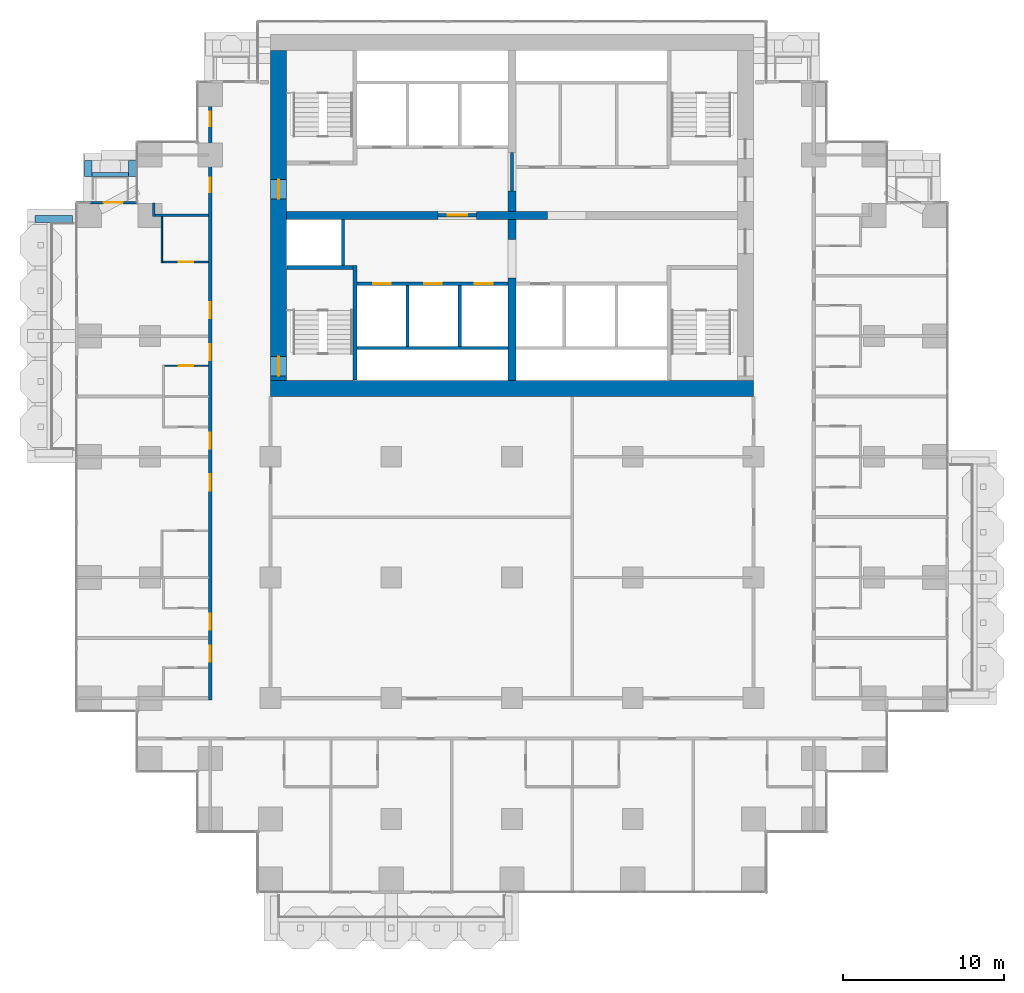
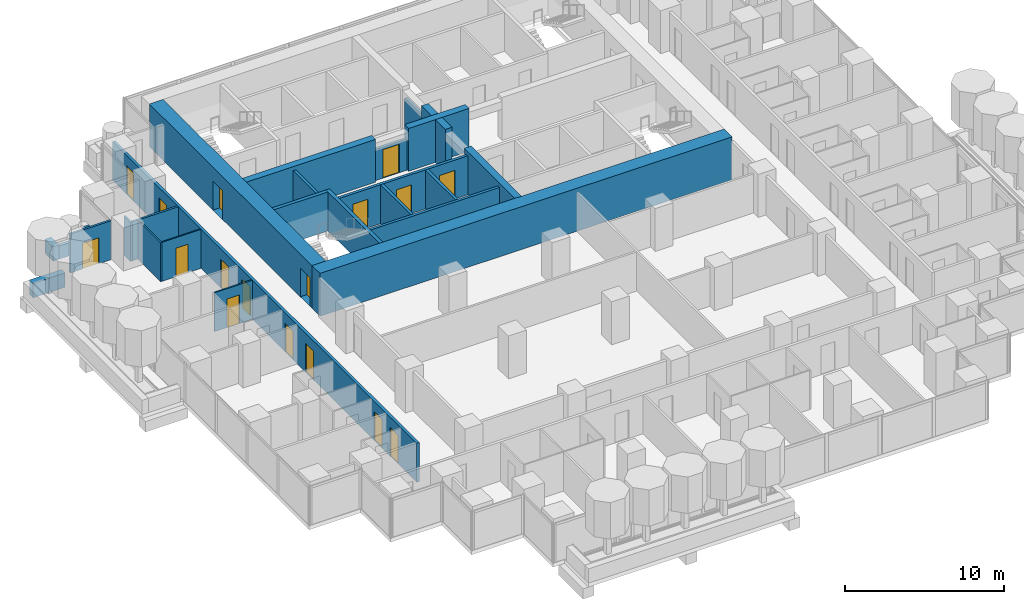
# One storey, part 13 of 18: 27 walls, 17 doors, 17 openings.
"""IFC4 building model written with IfcOpenShell, lengths in metres."""

from ifc_helpers import new_model, si_unit, direction, frame, frame_2d, origin, place, context, subcontext, project, spatial, rectangle, extrude, material, layer, layer_set, type_object, element, fill, save


model = new_model("IFC4")

# Units and contexts
model_context = context("Model", 3, precision=1e-05, world=origin(), true_north=direction((0.0, 1.0)))
body_context = subcontext(model_context, "Body", "Model", "MODEL_VIEW")
ifc_project = project(units=[si_unit("LENGTHUNIT", "METRE"), si_unit("AREAUNIT", "SQUARE_METRE"), si_unit("VOLUMEUNIT", "CUBIC_METRE"), si_unit("PLANEANGLEUNIT", "RADIAN"), si_unit("MASSUNIT", "GRAM", prefix="KILO")], contexts=[model_context])

# Site, building, storey
site_placement = place(None, origin())
site = spatial("IfcSite", under=ifc_project, at=site_placement, CompositionType="ELEMENT")
building_placement = place(site_placement, origin())
building = spatial("IfcBuilding", under=site, at=building_placement, Name="Pilkhan Gate Tower", CompositionType="ELEMENT")
storey_placement = place(building_placement, frame((0.0, 0.0, 82.39990234375)))
storey = spatial("IfcBuildingStorey", under=building, at=storey_placement, Name="L19", CompositionType="ELEMENT", Elevation=82.39990234375)

# Walls
ifc_material_1 = material(Name="Concrete C40/50", Category="concrete")
ifc_layer_1 = layer(ifc_material_1, 0.25)
ifc_layer_set_1 = layer_set([ifc_layer_1], Name="Balcony planter BP250")
wall_type_1 = type_object("IfcWallType", Name="Balcony planter BP250", PredefinedType="USERDEFINED", material=ifc_layer_set_1)
wall_1_placement = place(storey_placement, frame((48.89990234375, 85.02490234375, 0.0), z_axis=(0.0, 0.0, 1.0), x_axis=(1.0, 0.0, 0.0)))
element("IfcWall", 1, at=wall_1_placement, inside=storey, type_object=wall_type_1, Name="Balcony planter L19 N", ObjectType="BALCONY PLANTER", PredefinedType="USERDEFINED", context=body_context, shape_type="SweptSolid", body=[
    extrude(rectangle(XDim=2.280029296875, YDim=0.25, at=frame_2d((1.14013671875, 0.0))), origin(), (0.0, 0.0, 1.0), 1.0),
])
ifc_material_2 = material(Name="Board-marked Concrete C40/50", Category="concrete")
ifc_layer_2 = layer(ifc_material_2, 0.449951171875)
ifc_layer_set_2 = layer_set([ifc_layer_2], Name="Balcony planter lip BL450")
wall_type_2 = type_object("IfcWallType", Name="Balcony planter lip BL450", PredefinedType="USERDEFINED", material=ifc_layer_set_2)
for number, where, z_axis, x_axis, name in (
    (2, (48.675048828125, 84.89990234375, 0.0), (0.0, 0.0, 1.0), (0.0, 1.0, 0.0), "Balcony planter L19 N"),
    (3, (51.405029296875, 84.89990234375, 0.0), (0.0, 0.0, 1.0), (0.0, 1.0, 0.0), "Balcony planter L19 N"),
):
    element("IfcWall", number, at=place(storey_placement, frame(where, z_axis=z_axis, x_axis=x_axis)), inside=storey, type_object=wall_type_2, Name=name, ObjectType="BALCONY PLANTER", PredefinedType="USERDEFINED", context=body_context, shape_type="SweptSolid", body=[
        extrude(rectangle(XDim=1.0, YDim=0.449951171875, at=frame_2d((0.5, 0.0))), origin(), (0.0, 0.0, 1.0), 1.10009765625),
    ])
wall_2_placement = place(storey_placement, frame((47.699951171875, 82.27490234375, 0.0), z_axis=(0.0, 0.0, 1.0), x_axis=(-1.0, 0.0, 0.0)))
element("IfcWall", 4, at=wall_2_placement, inside=storey, type_object=wall_type_2, Name="Balcony planter L19 W", ObjectType="BALCONY PLANTER", PredefinedType="USERDEFINED", context=body_context, shape_type="SweptSolid", body=[
    extrude(rectangle(XDim=2.349853515625, YDim=0.449951171875, at=frame_2d((1.1748046875, 0.0))), origin(), (0.0, 0.0, 1.0), 1.10009765625),
])
ifc_material_3 = material(Name="Concrete C70/85", Category="concrete")
ifc_layer_3 = layer(ifc_material_3, 1.0)
ifc_layer_set_3 = layer_set([ifc_layer_3], Name="Core wall CW1000 C70/85")
wall_type_3 = type_object("IfcWallType", Name="Core wall CW1000 C70/85", PredefinedType="SHEAR", material=ifc_layer_set_3)
wall_3_placement = place(storey_placement, frame((60.0, 71.75, 0.0), z_axis=(0.0, 0.0, 1.0), x_axis=(1.0, 0.0, 0.0)))
element("IfcWall", 5, at=wall_3_placement, inside=storey, type_object=wall_type_3, Name="Core wall S L19", PredefinedType="SHEAR", context=body_context, shape_type="SweptSolid", body=[
    extrude(rectangle(XDim=30.0, YDim=1.0, at=frame_2d((15.0, 0.0))), origin(), (0.0, 0.0, 1.0), 3.300048828125),
])

# Wall, openings, doors
wall_4_placement = place(storey_placement, frame((60.5, 92.75, 0.0), z_axis=(0.0, 0.0, 1.0), x_axis=(0.0, -1.0, 0.0)))
wall_4 = element("IfcWall", 6, at=wall_4_placement, inside=storey, type_object=wall_type_3, Name="Core wall W L19", PredefinedType="SHEAR", context=body_context, shape_type="SweptSolid", body=[
    extrude(rectangle(XDim=20.5, YDim=1.0, at=frame_2d((10.25, 0.0))), origin(), (0.0, 0.0, 1.0), 3.300048828125),
])
opening_1_placement = place(wall_4_placement, frame((19.02490234375, 0.0, 0.0)))
opening_1 = element("IfcOpeningElement", 7, at=opening_1_placement, cuts=wall_4, Name="Opening L19-04", PredefinedType="OPENING", context=body_context, shape_type="SweptSolid", body=[
    extrude(rectangle(XDim=1.199951171875, YDim=2.199951171875, at=frame_2d((0.60009765625, 1.10009765625))), frame((0.0, 0.510009765625, 0.0), z_axis=(0.0, -1.0, 0.0), x_axis=(1.0, 0.0, 0.0)), (0.0, 0.0, 1.0), 1.02001953125),
])
opening_2_placement = place(wall_4_placement, frame((8.02490234375, 0.0, 0.0)))
opening_2 = element("IfcOpeningElement", 8, at=opening_2_placement, cuts=wall_4, Name="Opening L19-45", PredefinedType="OPENING", context=body_context, shape_type="SweptSolid", body=[
    extrude(rectangle(XDim=1.199951171875, YDim=2.199951171875, at=frame_2d((0.60009765625, 1.10009765625))), frame((0.0, 0.510009765625, 0.0), z_axis=(0.0, -1.0, 0.0), x_axis=(1.0, 0.0, 0.0)), (0.0, 0.0, 1.0), 1.02001953125),
])
ifc_material_4 = material(Name="Steel door, 120 minute fire resisting, self-closing", Category="steel")
door_type_1 = type_object("IfcDoorType", Name="Firefighting lobby door D10 1200x2200", OperationType="SINGLE_SWING_LEFT", PredefinedType="DOOR", material=ifc_material_4)
door_1_placement = place(opening_2_placement, origin())
door_1 = element("IfcDoor", 9, at=door_1_placement, inside=storey, type_object=door_type_1, Name="Core door", OperationType="SINGLE_SWING_RIGHT", OverallHeight=2.199951171875, OverallWidth=1.199951171875, PredefinedType="DOOR", context=body_context, shape_type="SweptSolid", body=[
    extrude(rectangle(XDim=1.199951171875, YDim=2.199951171875, at=frame_2d((0.60009765625, 1.10009765625))), frame((0.0, 0.02490234375, 0.0), z_axis=(0.0, -1.0, 0.0), x_axis=(1.0, 0.0, 0.0)), (0.0, 0.0, 1.0), 0.050048828125),
])
fill(opening_2, door_1)
ifc_material_5 = material(Name="Steel door, 120 minute fire resisting, panic bar", Category="steel")
door_type_2 = type_object("IfcDoorType", Name="Stair door D11 1200x2200", OperationType="SINGLE_SWING_LEFT", PredefinedType="DOOR", material=ifc_material_5)
door_2_placement = place(opening_1_placement, origin())
door_2 = element("IfcDoor", 10, at=door_2_placement, inside=storey, type_object=door_type_2, Name="Stair ST2 door", OperationType="SINGLE_SWING_LEFT", OverallHeight=2.199951171875, OverallWidth=1.199951171875, PredefinedType="DOOR", context=body_context, shape_type="SweptSolid", body=[
    extrude(rectangle(XDim=1.199951171875, YDim=2.199951171875, at=frame_2d((0.60009765625, 1.10009765625))), frame((0.0, 0.02490234375, 0.0), z_axis=(0.0, -1.0, 0.0), x_axis=(1.0, 0.0, 0.0)), (0.0, 0.0, 1.0), 0.050048828125),
])
fill(opening_1, door_2)

ifc_material_6 = material(Name="Dense blockwork", Category="masonry")
ifc_layer_4 = layer(ifc_material_6, 0.199951171875)
ifc_layer_set_4 = layer_set([ifc_layer_4], Name="Corridor wall FW200")
wall_type_4 = type_object("IfcWallType", Name="Corridor wall FW200", PredefinedType="PARTITIONING", material=ifc_layer_set_4)
wall_5_placement = place(storey_placement, frame((56.25, 52.39990234375, 0.0), z_axis=(0.0, 0.0, 1.0), x_axis=(0.0, 1.0, 0.0)))
wall_5 = element("IfcWall", 11, at=wall_5_placement, inside=storey, type_object=wall_type_4, Name="Partition L19", PredefinedType="PARTITIONING", context=body_context, shape_type="SweptSolid", body=[
    extrude(rectangle(XDim=38.31005859375, YDim=0.199951171875, at=frame_2d((19.155029296875, 0.0))), origin(), (0.0, 0.0, 1.0), 3.0),
])
opening_3_placement = place(wall_5_placement, frame((2.35009765625, 0.0, 0.0)))
opening_3 = element("IfcOpeningElement", 12, at=opening_3_placement, cuts=wall_5, Name="Opening L19-16", PredefinedType="OPENING", context=body_context, shape_type="SweptSolid", body=[
    extrude(rectangle(XDim=1.0, YDim=2.199951171875, at=frame_2d((0.5, 1.10009765625))), frame((0.0, 0.10986328125, 0.0), z_axis=(0.0, -1.0, 0.0), x_axis=(1.0, 0.0, 0.0)), (0.0, 0.0, 1.0), 0.219970703125),
])
opening_4_placement = place(wall_5_placement, frame((4.35009765625, 0.0, 0.0)))
opening_4 = element("IfcOpeningElement", 13, at=opening_4_placement, cuts=wall_5, Name="Opening L19-18", PredefinedType="OPENING", context=body_context, shape_type="SweptSolid", body=[
    extrude(rectangle(XDim=1.0, YDim=2.199951171875, at=frame_2d((0.5, 1.10009765625))), frame((0.0, 0.10986328125, 0.0), z_axis=(0.0, -1.0, 0.0), x_axis=(1.0, 0.0, 0.0)), (0.0, 0.0, 1.0), 0.219970703125),
])
opening_5_placement = place(wall_5_placement, frame((13.0, 0.0, 0.0)))
opening_5 = element("IfcOpeningElement", 14, at=opening_5_placement, cuts=wall_5, Name="Opening L19-20", PredefinedType="OPENING", context=body_context, shape_type="SweptSolid", body=[
    extrude(rectangle(XDim=1.0, YDim=2.199951171875, at=frame_2d((0.5, 1.10009765625))), frame((0.0, 0.10986328125, 0.0), z_axis=(0.0, -1.0, 0.0), x_axis=(1.0, 0.0, 0.0)), (0.0, 0.0, 1.0), 0.219970703125),
])
opening_6_placement = place(wall_5_placement, frame((15.60009765625, 0.0, 0.0)))
opening_6 = element("IfcOpeningElement", 15, at=opening_6_placement, cuts=wall_5, Name="Opening L19-22", PredefinedType="OPENING", context=body_context, shape_type="SweptSolid", body=[
    extrude(rectangle(XDim=1.0, YDim=2.199951171875, at=frame_2d((0.5, 1.10009765625))), frame((0.0, 0.10986328125, 0.0), z_axis=(0.0, -1.0, 0.0), x_axis=(1.0, 0.0, 0.0)), (0.0, 0.0, 1.0), 0.219970703125),
])
opening_7_placement = place(wall_5_placement, frame((21.10009765625, 0.0, 0.0)))
opening_7 = element("IfcOpeningElement", 16, at=opening_7_placement, cuts=wall_5, Name="Opening L19-24", PredefinedType="OPENING", context=body_context, shape_type="SweptSolid", body=[
    extrude(rectangle(XDim=1.0, YDim=2.199951171875, at=frame_2d((0.5, 1.10009765625))), frame((0.0, 0.10986328125, 0.0), z_axis=(0.0, -1.0, 0.0), x_axis=(1.0, 0.0, 0.0)), (0.0, 0.0, 1.0), 0.219970703125),
])
opening_8_placement = place(wall_5_placement, frame((23.699951171875, 0.0, 0.0)))
opening_8 = element("IfcOpeningElement", 17, at=opening_8_placement, cuts=wall_5, Name="Opening L19-26", PredefinedType="OPENING", context=body_context, shape_type="SweptSolid", body=[
    extrude(rectangle(XDim=1.0, YDim=2.199951171875, at=frame_2d((0.5, 1.10009765625))), frame((0.0, 0.10986328125, 0.0), z_axis=(0.0, -1.0, 0.0), x_axis=(1.0, 0.0, 0.0)), (0.0, 0.0, 1.0), 0.219970703125),
])
opening_9_placement = place(wall_5_placement, frame((31.550048828125, 0.0, 0.0)))
opening_9 = element("IfcOpeningElement", 18, at=opening_9_placement, cuts=wall_5, Name="Opening L19-52", PredefinedType="OPENING", context=body_context, shape_type="SweptSolid", body=[
    extrude(rectangle(XDim=0.89990234375, YDim=2.199951171875, at=frame_2d((0.449951171875, 1.10009765625))), frame((0.0, 0.10986328125, 0.0), z_axis=(0.0, -1.0, 0.0), x_axis=(1.0, 0.0, 0.0)), (0.0, 0.0, 1.0), 0.219970703125),
])
opening_10_placement = place(wall_5_placement, frame((35.64990234375, 0.0, 0.0)))
opening_10 = element("IfcOpeningElement", 19, at=opening_10_placement, cuts=wall_5, Name="Opening L19-53", PredefinedType="OPENING", context=body_context, shape_type="SweptSolid", body=[
    extrude(rectangle(XDim=0.89990234375, YDim=2.199951171875, at=frame_2d((0.449951171875, 1.10009765625))), frame((0.0, 0.10986328125, 0.0), z_axis=(0.0, -1.0, 0.0), x_axis=(1.0, 0.0, 0.0)), (0.0, 0.0, 1.0), 0.219970703125),
])
ifc_material_7 = material(Name="Timber flush door, 30 minute fire resisting", Category="wood")
door_type_3 = type_object("IfcDoorType", Name="Guest room door D01 1000x2200", OperationType="SINGLE_SWING_LEFT", PredefinedType="DOOR", material=ifc_material_7)
door_3_placement = place(opening_3_placement, origin())
door_3 = element("IfcDoor", 20, at=door_3_placement, inside=storey, type_object=door_type_3, Name="Guest room door", OperationType="SINGLE_SWING_LEFT", OverallHeight=2.199951171875, OverallWidth=1.0, PredefinedType="DOOR", context=body_context, shape_type="SweptSolid", body=[
    extrude(rectangle(XDim=1.0, YDim=2.199951171875, at=frame_2d((0.5, 1.10009765625))), frame((0.0, 0.02490234375, 0.0), z_axis=(0.0, -1.0, 0.0), x_axis=(1.0, 0.0, 0.0)), (0.0, 0.0, 1.0), 0.050048828125),
])
fill(opening_3, door_3)
door_4_placement = place(opening_4_placement, origin())
door_4 = element("IfcDoor", 21, at=door_4_placement, inside=storey, type_object=door_type_3, Name="Guest room door", OperationType="SINGLE_SWING_LEFT", OverallHeight=2.199951171875, OverallWidth=1.0, PredefinedType="DOOR", context=body_context, shape_type="SweptSolid", body=[
    extrude(rectangle(XDim=1.0, YDim=2.199951171875, at=frame_2d((0.5, 1.10009765625))), frame((0.0, 0.02490234375, 0.0), z_axis=(0.0, -1.0, 0.0), x_axis=(1.0, 0.0, 0.0)), (0.0, 0.0, 1.0), 0.050048828125),
])
fill(opening_4, door_4)
door_5_placement = place(opening_5_placement, origin())
door_5 = element("IfcDoor", 22, at=door_5_placement, inside=storey, type_object=door_type_3, Name="Guest room door", OperationType="SINGLE_SWING_RIGHT", OverallHeight=2.199951171875, OverallWidth=1.0, PredefinedType="DOOR", context=body_context, shape_type="SweptSolid", body=[
    extrude(rectangle(XDim=1.0, YDim=2.199951171875, at=frame_2d((0.5, 1.10009765625))), frame((0.0, 0.02490234375, 0.0), z_axis=(0.0, -1.0, 0.0), x_axis=(1.0, 0.0, 0.0)), (0.0, 0.0, 1.0), 0.050048828125),
])
fill(opening_5, door_5)
door_6_placement = place(opening_6_placement, origin())
door_6 = element("IfcDoor", 23, at=door_6_placement, inside=storey, type_object=door_type_3, Name="Guest room door", OperationType="SINGLE_SWING_RIGHT", OverallHeight=2.199951171875, OverallWidth=1.0, PredefinedType="DOOR", context=body_context, shape_type="SweptSolid", body=[
    extrude(rectangle(XDim=1.0, YDim=2.199951171875, at=frame_2d((0.5, 1.10009765625))), frame((0.0, 0.02490234375, 0.0), z_axis=(0.0, -1.0, 0.0), x_axis=(1.0, 0.0, 0.0)), (0.0, 0.0, 1.0), 0.050048828125),
])
fill(opening_6, door_6)
door_7_placement = place(opening_7_placement, origin())
door_7 = element("IfcDoor", 24, at=door_7_placement, inside=storey, type_object=door_type_3, Name="Guest room door", OperationType="SINGLE_SWING_LEFT", OverallHeight=2.199951171875, OverallWidth=1.0, PredefinedType="DOOR", context=body_context, shape_type="SweptSolid", body=[
    extrude(rectangle(XDim=1.0, YDim=2.199951171875, at=frame_2d((0.5, 1.10009765625))), frame((0.0, 0.02490234375, 0.0), z_axis=(0.0, -1.0, 0.0), x_axis=(1.0, 0.0, 0.0)), (0.0, 0.0, 1.0), 0.050048828125),
])
fill(opening_7, door_7)
door_8_placement = place(opening_8_placement, origin())
door_8 = element("IfcDoor", 25, at=door_8_placement, inside=storey, type_object=door_type_3, Name="Guest room door", OperationType="SINGLE_SWING_LEFT", OverallHeight=2.199951171875, OverallWidth=1.0, PredefinedType="DOOR", context=body_context, shape_type="SweptSolid", body=[
    extrude(rectangle(XDim=1.0, YDim=2.199951171875, at=frame_2d((0.5, 1.10009765625))), frame((0.0, 0.02490234375, 0.0), z_axis=(0.0, -1.0, 0.0), x_axis=(1.0, 0.0, 0.0)), (0.0, 0.0, 1.0), 0.050048828125),
])
fill(opening_8, door_8)
ifc_material_8 = material(Name="Timber flush door, 60 minute fire resisting, self-closing", Category="wood")
door_type_4 = type_object("IfcDoorType", Name="Store door D05 900x2200", OperationType="SINGLE_SWING_LEFT", PredefinedType="DOOR", material=ifc_material_8)
door_9_placement = place(opening_9_placement, origin())
door_9 = element("IfcDoor", 26, at=door_9_placement, inside=storey, type_object=door_type_4, Name="Store door", OperationType="SINGLE_SWING_RIGHT", OverallHeight=2.199951171875, OverallWidth=0.89990234375, PredefinedType="DOOR", context=body_context, shape_type="SweptSolid", body=[
    extrude(rectangle(XDim=0.89990234375, YDim=2.199951171875, at=frame_2d((0.449951171875, 1.10009765625))), frame((0.0, 0.02490234375, 0.0), z_axis=(0.0, -1.0, 0.0), x_axis=(1.0, 0.0, 0.0)), (0.0, 0.0, 1.0), 0.050048828125),
])
fill(opening_9, door_9)
door_10_placement = place(opening_10_placement, origin())
door_10 = element("IfcDoor", 27, at=door_10_placement, inside=storey, type_object=door_type_4, Name="Store door", OperationType="SINGLE_SWING_LEFT", OverallHeight=2.199951171875, OverallWidth=0.89990234375, PredefinedType="DOOR", context=body_context, shape_type="SweptSolid", body=[
    extrude(rectangle(XDim=0.89990234375, YDim=2.199951171875, at=frame_2d((0.449951171875, 1.10009765625))), frame((0.0, 0.02490234375, 0.0), z_axis=(0.0, -1.0, 0.0), x_axis=(1.0, 0.0, 0.0)), (0.0, 0.0, 1.0), 0.050048828125),
])
fill(opening_10, door_10)

# Wall, opening, door
ifc_material_9 = material(Name="Pale anodised aluminium, clear laminated glazing", Category="aluminium")
ifc_layer_5 = layer(ifc_material_9, 0.14990234375)
ifc_layer_set_5 = layer_set([ifc_layer_5], Name="Facade infill wall IW150")
wall_type_5 = type_object("IfcWallType", Name="Facade infill wall IW150", PredefinedType="SOLIDWALL", material=ifc_layer_set_5)
wall_6_placement = place(storey_placement, frame((48.75, 83.294921875, 0.0), z_axis=(0.0, 0.0, 1.0), x_axis=(1.0, 0.0, 0.0)))
wall_6 = element("IfcWall", 28, at=wall_6_placement, inside=storey, type_object=wall_type_5, Name="Infill wall L19 N", PredefinedType="SOLIDWALL", context=body_context, shape_type="SweptSolid", body=[
    extrude(rectangle(XDim=2.955078125, YDim=0.14990234375, at=frame_2d((1.4775390625, 0.0))), origin(), (0.0, 0.0, 1.0), 3.0),
])
opening_11_placement = place(wall_6_placement, frame((0.87744140625, 0.0, 0.0)))
opening_11 = element("IfcOpeningElement", 29, at=opening_11_placement, cuts=wall_6, Name="Opening D1L", PredefinedType="OPENING", context=body_context, shape_type="SweptSolid", body=[
    extrude(rectangle(XDim=1.199951171875, YDim=2.0, at=frame_2d((0.60009765625, 1.0))), frame((0.0, 0.0849609375, 0.0), z_axis=(0.0, -1.0, 0.0), x_axis=(1.0, 0.0, 0.0)), (0.0, 0.0, 1.0), 0.169921875),
])
ifc_material_10 = material(Name="Pale anodised aluminium, clear glazing", Category="aluminium")
door_type_5 = type_object("IfcDoorType", Name="Balcony door D1L 1200x2000", OperationType="SINGLE_SWING_LEFT", PredefinedType="DOOR", material=ifc_material_10)
door_11_placement = place(opening_11_placement, origin())
door_11 = element("IfcDoor", 30, at=door_11_placement, inside=storey, type_object=door_type_5, Name="Balcony door L19", OperationType="SINGLE_SWING_LEFT", OverallHeight=2.0, OverallWidth=1.199951171875, PredefinedType="DOOR", context=body_context, shape_type="SweptSolid", body=[
    extrude(rectangle(XDim=1.199951171875, YDim=2.0, at=frame_2d((0.60009765625, 1.0))), frame((0.0, 0.02490234375, 0.0), z_axis=(0.0, -1.0, 0.0), x_axis=(1.0, 0.0, 0.0)), (0.0, 0.0, 1.0), 0.050048828125),
])
fill(opening_11, door_11)

ifc_layer_6 = layer(ifc_material_6, 0.199951171875)
ifc_layer_set_6 = layer_set([ifc_layer_6], Name="Lobby wall LW200")
wall_type_6 = type_object("IfcWallType", Name="Lobby wall LW200", PredefinedType="PARTITIONING", material=ifc_layer_set_6)
wall_7_placement = place(storey_placement, frame((70.409912109375, 82.5, 0.0), z_axis=(0.0, 0.0, 1.0), x_axis=(1.0, 0.0, 0.0)))
wall_7 = element("IfcWall", 31, at=wall_7_placement, inside=storey, type_object=wall_type_6, Name="Partition L19", PredefinedType="PARTITIONING", context=body_context, shape_type="SweptSolid", body=[
    extrude(rectangle(XDim=2.380126953125, YDim=0.199951171875, at=frame_2d((1.18994140625, 0.0))), origin(), (0.0, 0.0, 1.0), 2.400146484375),
])
opening_12_placement = place(wall_7_placement, frame((0.60009765625, 0.0, 0.0)))
opening_12 = element("IfcOpeningElement", 32, at=opening_12_placement, cuts=wall_7, Name="Opening L19-01", PredefinedType="OPENING", context=body_context, shape_type="SweptSolid", body=[
    extrude(rectangle(XDim=1.199951171875, YDim=2.199951171875, at=frame_2d((0.60009765625, 1.10009765625))), frame((0.0, 0.10986328125, 0.0), z_axis=(0.0, -1.0, 0.0), x_axis=(1.0, 0.0, 0.0)), (0.0, 0.0, 1.0), 0.219970703125),
])
door_12_placement = place(opening_12_placement, origin())
door_12 = element("IfcDoor", 33, at=door_12_placement, inside=storey, type_object=door_type_1, Name="Firefighting lobby door", OperationType="SINGLE_SWING_LEFT", OverallHeight=2.199951171875, OverallWidth=1.199951171875, PredefinedType="DOOR", context=body_context, shape_type="SweptSolid", body=[
    extrude(rectangle(XDim=1.199951171875, YDim=2.199951171875, at=frame_2d((0.60009765625, 1.10009765625))), frame((0.0, 0.02490234375, 0.0), z_axis=(0.0, -1.0, 0.0), x_axis=(1.0, 0.0, 0.0)), (0.0, 0.0, 1.0), 0.050048828125),
])
fill(opening_12, door_12)

# Walls
wall_8_placement = place(storey_placement, frame((75.0, 84.010009765625, 0.0), z_axis=(0.0, 0.0, 1.0), x_axis=(0.0, 1.0, 0.0)))
element("IfcWall", 34, at=wall_8_placement, inside=storey, type_object=wall_type_6, Name="Partition L19", PredefinedType="PARTITIONING", context=body_context, shape_type="SweptSolid", body=[
    extrude(rectangle(XDim=2.3798828125, YDim=0.199951171875, at=frame_2d((1.18994140625, 0.0))), origin(), (0.0, 0.0, 1.0), 2.400146484375),
])
ifc_material_11 = material(Name="Blockwork partition, plastered both sides", Category="masonry")
ifc_layer_7 = layer(ifc_material_11, 0.14990234375)
ifc_layer_set_7 = layer_set([ifc_layer_7], Name="Partition PW150")
wall_type_7 = type_object("IfcWallType", Name="Partition PW150", PredefinedType="PARTITIONING", material=ifc_layer_set_7)
wall_9_placement = place(storey_placement, frame((52.81005859375, 82.5, 0.0), z_axis=(0.0, 0.0, 1.0), x_axis=(1.0, 0.0, 0.0)))
element("IfcWall", 35, at=wall_9_placement, inside=storey, type_object=wall_type_7, Name="Partition L19", PredefinedType="PARTITIONING", context=body_context, shape_type="SweptSolid", body=[
    extrude(rectangle(XDim=3.33984375, YDim=0.14990234375, at=frame_2d((1.669921875, 0.0))), origin(), (0.0, 0.0, 1.0), 3.0),
])
wall_10_placement = place(storey_placement, frame((52.735107421875, 82.425048828125, 0.0), z_axis=(0.0, 0.0, 1.0), x_axis=(0.0, 1.0, 0.0)))
element("IfcWall", 36, at=wall_10_placement, inside=storey, type_object=wall_type_7, Name="Partition L19", PredefinedType="PARTITIONING", context=body_context, shape_type="SweptSolid", body=[
    extrude(rectangle(XDim=0.83984375, YDim=0.14990234375, at=frame_2d((0.419921875, 0.0))), origin(), (0.0, 0.0, 1.0), 3.0),
])
ifc_material_12 = material(Name="Reinforced blockwork shaft wall, 120 minute fire resisting", Category="masonry")
ifc_layer_8 = layer(ifc_material_12, 0.199951171875)
ifc_layer_set_8 = layer_set([ifc_layer_8], Name="Shaft wall SW200")
wall_type_8 = type_object("IfcWallType", Name="Shaft wall SW200", PredefinedType="PARTITIONING", material=ifc_layer_set_8)
wall_11_placement = place(storey_placement, frame((65.375, 74.25, 0.0), z_axis=(0.0, 0.0, 1.0), x_axis=(1.0, 0.0, 0.0)))
element("IfcWall", 37, at=wall_11_placement, inside=storey, type_object=wall_type_8, Name="Partition L19", PredefinedType="PARTITIONING", context=body_context, shape_type="SweptSolid", body=[
    extrude(rectangle(XDim=9.364990234375, YDim=0.199951171875, at=frame_2d((4.6826171875, 0.0))), origin(), (0.0, 0.0, 1.0), 3.0),
])

# Wall, openings, doors
wall_12_placement = place(storey_placement, frame((65.375, 78.25, 0.0), z_axis=(0.0, 0.0, 1.0), x_axis=(1.0, 0.0, 0.0)))
wall_12 = element("IfcWall", 38, at=wall_12_placement, inside=storey, type_object=wall_type_8, Name="Partition L19", PredefinedType="PARTITIONING", context=body_context, shape_type="SweptSolid", body=[
    extrude(rectangle(XDim=9.364990234375, YDim=0.199951171875, at=frame_2d((4.6826171875, 0.0))), origin(), (0.0, 0.0, 1.0), 3.0),
])
opening_13_placement = place(wall_12_placement, frame((1.0, 0.0, 0.0)))
opening_13 = element("IfcOpeningElement", 39, at=opening_13_placement, cuts=wall_12, Name="Opening LD", PredefinedType="OPENING", context=body_context, shape_type="SweptSolid", body=[
    extrude(rectangle(XDim=1.10009765625, YDim=2.199951171875, at=frame_2d((0.550048828125, 1.10009765625))), frame((0.0, 0.10986328125, 0.0), z_axis=(0.0, -1.0, 0.0), x_axis=(1.0, 0.0, 0.0)), (0.0, 0.0, 1.0), 0.219970703125),
])
opening_14_placement = place(wall_12_placement, frame((4.175048828125, 0.0, 0.0)))
opening_14 = element("IfcOpeningElement", 40, at=opening_14_placement, cuts=wall_12, Name="Opening LD", PredefinedType="OPENING", context=body_context, shape_type="SweptSolid", body=[
    extrude(rectangle(XDim=1.10009765625, YDim=2.199951171875, at=frame_2d((0.550048828125, 1.10009765625))), frame((0.0, 0.10986328125, 0.0), z_axis=(0.0, -1.0, 0.0), x_axis=(1.0, 0.0, 0.0)), (0.0, 0.0, 1.0), 0.219970703125),
])
opening_15_placement = place(wall_12_placement, frame((7.324951171875, 0.0, 0.0)))
opening_15 = element("IfcOpeningElement", 41, at=opening_15_placement, cuts=wall_12, Name="Opening LD", PredefinedType="OPENING", context=body_context, shape_type="SweptSolid", body=[
    extrude(rectangle(XDim=1.10009765625, YDim=2.199951171875, at=frame_2d((0.550048828125, 1.10009765625))), frame((0.0, 0.10986328125, 0.0), z_axis=(0.0, -1.0, 0.0), x_axis=(1.0, 0.0, 0.0)), (0.0, 0.0, 1.0), 0.219970703125),
])
ifc_material_13 = material(Name="Stainless steel centre-opening landing door, 120 minute fire resisting", Category="steel")
door_type_6 = type_object("IfcDoorType", Name="Lift landing door LD 1100x2200", OperationType="DOUBLE_DOOR_SLIDING", PredefinedType="DOOR", material=ifc_material_13)
door_13_placement = place(opening_13_placement, origin())
door_13 = element("IfcDoor", 42, at=door_13_placement, inside=storey, type_object=door_type_6, Name="Landing door LR1", OperationType="DOUBLE_DOOR_SLIDING", OverallHeight=2.199951171875, OverallWidth=1.10009765625, PredefinedType="DOOR", context=body_context, shape_type="SweptSolid", body=[
    extrude(rectangle(XDim=1.10009765625, YDim=2.199951171875, at=frame_2d((0.550048828125, 1.10009765625))), frame((0.0, 0.02490234375, 0.0), z_axis=(0.0, -1.0, 0.0), x_axis=(1.0, 0.0, 0.0)), (0.0, 0.0, 1.0), 0.050048828125),
])
fill(opening_13, door_13)
door_14_placement = place(opening_14_placement, origin())
door_14 = element("IfcDoor", 43, at=door_14_placement, inside=storey, type_object=door_type_6, Name="Landing door LR2", OperationType="DOUBLE_DOOR_SLIDING", OverallHeight=2.199951171875, OverallWidth=1.10009765625, PredefinedType="DOOR", context=body_context, shape_type="SweptSolid", body=[
    extrude(rectangle(XDim=1.10009765625, YDim=2.199951171875, at=frame_2d((0.550048828125, 1.10009765625))), frame((0.0, 0.02490234375, 0.0), z_axis=(0.0, -1.0, 0.0), x_axis=(1.0, 0.0, 0.0)), (0.0, 0.0, 1.0), 0.050048828125),
])
fill(opening_14, door_14)
door_15_placement = place(opening_15_placement, origin())
door_15 = element("IfcDoor", 44, at=door_15_placement, inside=storey, type_object=door_type_6, Name="Landing door LR3", OperationType="DOUBLE_DOOR_SLIDING", OverallHeight=2.199951171875, OverallWidth=1.10009765625, PredefinedType="DOOR", context=body_context, shape_type="SweptSolid", body=[
    extrude(rectangle(XDim=1.10009765625, YDim=2.199951171875, at=frame_2d((0.550048828125, 1.10009765625))), frame((0.0, 0.02490234375, 0.0), z_axis=(0.0, -1.0, 0.0), x_axis=(1.0, 0.0, 0.0)), (0.0, 0.0, 1.0), 0.050048828125),
])
fill(opening_15, door_15)

# Walls
wall_13_placement = place(storey_placement, frame((64.5, 79.375, 0.0), z_axis=(0.0, 0.0, 1.0), x_axis=(0.0, 1.0, 0.0)))
element("IfcWall", 45, at=wall_13_placement, inside=storey, type_object=wall_type_8, Name="Partition L19", PredefinedType="PARTITIONING", context=body_context, shape_type="SweptSolid", body=[
    extrude(rectangle(XDim=2.864990234375, YDim=0.199951171875, at=frame_2d((1.4326171875, 0.0))), origin(), (0.0, 0.0, 1.0), 3.0),
])
for number, where, z_axis, x_axis, name in (
    (46, (68.5, 74.35009765625, 0.0), (0.0, 0.0, 1.0), (0.0, 1.0, 0.0), "Partition L19"),
    (47, (71.75, 74.35009765625, 0.0), (0.0, 0.0, 1.0), (0.0, 1.0, 0.0), "Partition L19"),
):
    element("IfcWall", number, at=place(storey_placement, frame(where, z_axis=z_axis, x_axis=x_axis)), inside=storey, type_object=wall_type_8, Name=name, PredefinedType="PARTITIONING", context=body_context, shape_type="SweptSolid", body=[
        extrude(rectangle(XDim=3.7998046875, YDim=0.199951171875, at=frame_2d((1.89990234375, 0.0))), origin(), (0.0, 0.0, 1.0), 3.0),
    ])
ifc_layer_9 = layer(ifc_material_3, 0.5)
ifc_layer_set_9 = layer_set([ifc_layer_9], Name="Spine wall SW500 C70/85")
wall_type_9 = type_object("IfcWallType", Name="Spine wall SW500 C70/85", PredefinedType="SHEAR", material=ifc_layer_set_9)
wall_14_placement = place(storey_placement, frame((61.0, 82.5, 0.0), z_axis=(0.0, 0.0, 1.0), x_axis=(1.0, 0.0, 0.0)))
element("IfcWall", 48, at=wall_14_placement, inside=storey, type_object=wall_type_9, Name="Spine wall SP-EW1 L19", PredefinedType="SHEAR", context=body_context, shape_type="SweptSolid", body=[
    extrude(rectangle(XDim=9.39990234375, YDim=0.5, at=frame_2d((4.699951171875, 0.0))), origin(), (0.0, 0.0, 1.0), 3.300048828125),
])
wall_15_placement = place(storey_placement, frame((72.800048828125, 82.5, 0.0), z_axis=(0.0, 0.0, 1.0), x_axis=(1.0, 0.0, 0.0)))
element("IfcWall", 49, at=wall_15_placement, inside=storey, type_object=wall_type_9, Name="Spine wall SP-EW2 L19", PredefinedType="SHEAR", context=body_context, shape_type="SweptSolid", body=[
    extrude(rectangle(XDim=4.39990234375, YDim=0.5, at=frame_2d((2.199951171875, 0.0))), origin(), (0.0, 0.0, 1.0), 3.300048828125),
])
wall_16_placement = place(storey_placement, frame((75.0, 72.25, 0.0), z_axis=(0.0, 0.0, 1.0), x_axis=(0.0, 1.0, 0.0)))
element("IfcWall", 50, at=wall_16_placement, inside=storey, type_object=wall_type_9, Name="Spine wall SP-NS-S1 L19", PredefinedType="SHEAR", context=body_context, shape_type="SweptSolid", body=[
    extrude(rectangle(XDim=6.35009765625, YDim=0.5, at=frame_2d((3.175048828125, 0.0))), origin(), (0.0, 0.0, 1.0), 3.300048828125),
])
for number, where, z_axis, x_axis, name in (
    (51, (75.0, 81.0, 0.0), (0.0, 0.0, 1.0), (0.0, 1.0, 0.0), "Spine wall SP-NS-S2 L19"),
    (52, (75.0, 82.75, 0.0), (0.0, 0.0, 1.0), (0.0, 1.0, 0.0), "Spine wall SP-NS-N1 L19"),
):
    element("IfcWall", number, at=place(storey_placement, frame(where, z_axis=z_axis, x_axis=x_axis)), inside=storey, type_object=wall_type_9, Name=name, PredefinedType="SHEAR", context=body_context, shape_type="SweptSolid", body=[
        extrude(rectangle(XDim=1.25, YDim=0.5, at=frame_2d((0.625, 0.0))), origin(), (0.0, 0.0, 1.0), 3.300048828125),
    ])
ifc_material_14 = material(Name="Reinforced blockwork, 120 minute fire resisting", Category="masonry")
ifc_layer_10 = layer(ifc_material_14, 0.25)
ifc_layer_set_10 = layer_set([ifc_layer_10], Name="Stair enclosure wall SE250")
wall_type_10 = type_object("IfcWallType", Name="Stair enclosure wall SE250", PredefinedType="PARTITIONING", material=ifc_layer_set_10)
wall_17_placement = place(storey_placement, frame((61.010009765625, 79.25, 0.0), z_axis=(0.0, 0.0, 1.0), x_axis=(1.0, 0.0, 0.0)))
element("IfcWall", 53, at=wall_17_placement, inside=storey, type_object=wall_type_10, Name="Partition L19", PredefinedType="PARTITIONING", context=body_context, shape_type="SweptSolid", body=[
    extrude(rectangle(XDim=4.114990234375, YDim=0.25, at=frame_2d((2.0576171875, 0.0))), origin(), (0.0, 0.0, 1.0), 3.0),
])
wall_18_placement = place(storey_placement, frame((65.25, 72.260009765625, 0.0), z_axis=(0.0, 0.0, 1.0), x_axis=(0.0, 1.0, 0.0)))
element("IfcWall", 54, at=wall_18_placement, inside=storey, type_object=wall_type_10, Name="Partition L19", PredefinedType="PARTITIONING", context=body_context, shape_type="SweptSolid", body=[
    extrude(rectangle(XDim=7.114990234375, YDim=0.25, at=frame_2d((3.5576171875, 0.0))), origin(), (0.0, 0.0, 1.0), 3.0),
])

# Wall, opening, door
ifc_material_15 = material(Name="Moisture resistant board, tiled")
ifc_layer_11 = layer(ifc_material_15, 0.10009765625)
ifc_layer_set_11 = layer_set([ifc_layer_11], Name="Wet wall PW100")
wall_type_11 = type_object("IfcWallType", Name="Wet wall PW100", PredefinedType="PARTITIONING", material=ifc_layer_set_11)
wall_19_placement = place(storey_placement, frame((53.39990234375, 73.14990234375, 0.0), z_axis=(0.0, 0.0, 1.0), x_axis=(1.0, 0.0, 0.0)))
wall_19 = element("IfcWall", 55, at=wall_19_placement, inside=storey, type_object=wall_type_11, Name="Partition L19", PredefinedType="PARTITIONING", context=body_context, shape_type="SweptSolid", body=[
    extrude(rectangle(XDim=2.75, YDim=0.10009765625, at=frame_2d((1.375, 0.0))), origin(), (0.0, 0.0, 1.0), 3.0),
])
opening_16_placement = place(wall_19_placement, frame((0.89990234375, 0.0, 0.0)))
opening_16 = element("IfcOpeningElement", 56, at=opening_16_placement, cuts=wall_19, Name="Opening L19-25", PredefinedType="OPENING", context=body_context, shape_type="SweptSolid", body=[
    extrude(rectangle(XDim=0.89990234375, YDim=2.199951171875, at=frame_2d((0.449951171875, 1.10009765625))), frame((0.0, 0.06005859375, 0.0), z_axis=(0.0, -1.0, 0.0), x_axis=(1.0, 0.0, 0.0)), (0.0, 0.0, 1.0), 0.1201171875),
])
ifc_material_16 = material(Name="Timber flush door", Category="wood")
door_type_7 = type_object("IfcDoorType", Name="Bathroom door D02 900x2200", OperationType="SINGLE_SWING_RIGHT", PredefinedType="DOOR", material=ifc_material_16)
door_16_placement = place(opening_16_placement, origin())
door_16 = element("IfcDoor", 57, at=door_16_placement, inside=storey, type_object=door_type_7, Name="Bathroom door", OperationType="SINGLE_SWING_RIGHT", OverallHeight=2.199951171875, OverallWidth=0.89990234375, PredefinedType="DOOR", context=body_context, shape_type="SweptSolid", body=[
    extrude(rectangle(XDim=0.89990234375, YDim=2.199951171875, at=frame_2d((0.449951171875, 1.10009765625))), frame((0.0, 0.02490234375, 0.0), z_axis=(0.0, -1.0, 0.0), x_axis=(1.0, 0.0, 0.0)), (0.0, 0.0, 1.0), 0.050048828125),
])
fill(opening_16, door_16)

wall_20_placement = place(storey_placement, frame((53.300048828125, 79.60009765625, 0.0), z_axis=(0.0, 0.0, 1.0), x_axis=(1.0, 0.0, 0.0)))
wall_20 = element("IfcWall", 58, at=wall_20_placement, inside=storey, type_object=wall_type_11, Name="Partition L19", PredefinedType="PARTITIONING", context=body_context, shape_type="SweptSolid", body=[
    extrude(rectangle(XDim=2.849853515625, YDim=0.10009765625, at=frame_2d((1.4248046875, 0.0))), origin(), (0.0, 0.0, 1.0), 3.0),
])
opening_17_placement = place(wall_20_placement, frame((1.0, 0.0, 0.0)))
opening_17 = element("IfcOpeningElement", 59, at=opening_17_placement, cuts=wall_20, Name="Opening L19-27", PredefinedType="OPENING", context=body_context, shape_type="SweptSolid", body=[
    extrude(rectangle(XDim=0.89990234375, YDim=2.199951171875, at=frame_2d((0.449951171875, 1.10009765625))), frame((0.0, 0.06005859375, 0.0), z_axis=(0.0, -1.0, 0.0), x_axis=(1.0, 0.0, 0.0)), (0.0, 0.0, 1.0), 0.1201171875),
])
door_17_placement = place(opening_17_placement, origin())
door_17 = element("IfcDoor", 60, at=door_17_placement, inside=storey, type_object=door_type_7, Name="Bathroom door", OperationType="SINGLE_SWING_RIGHT", OverallHeight=2.199951171875, OverallWidth=0.89990234375, PredefinedType="DOOR", context=body_context, shape_type="SweptSolid", body=[
    extrude(rectangle(XDim=0.89990234375, YDim=2.199951171875, at=frame_2d((0.449951171875, 1.10009765625))), frame((0.0, 0.02490234375, 0.0), z_axis=(0.0, -1.0, 0.0), x_axis=(1.0, 0.0, 0.0)), (0.0, 0.0, 1.0), 0.050048828125),
])
fill(opening_17, door_17)

# Wall
wall_21_placement = place(storey_placement, frame((53.25, 79.550048828125, 0.0), z_axis=(0.0, 0.0, 1.0), x_axis=(0.0, 1.0, 0.0)))
element("IfcWall", 61, at=wall_21_placement, inside=storey, type_object=wall_type_11, Name="Partition L19", PredefinedType="PARTITIONING", context=body_context, shape_type="SweptSolid", body=[
    extrude(rectangle(XDim=2.875, YDim=0.10009765625, at=frame_2d((1.4375, 0.0))), origin(), (0.0, 0.0, 1.0), 3.0),
])

save(model, "model.ifc")
